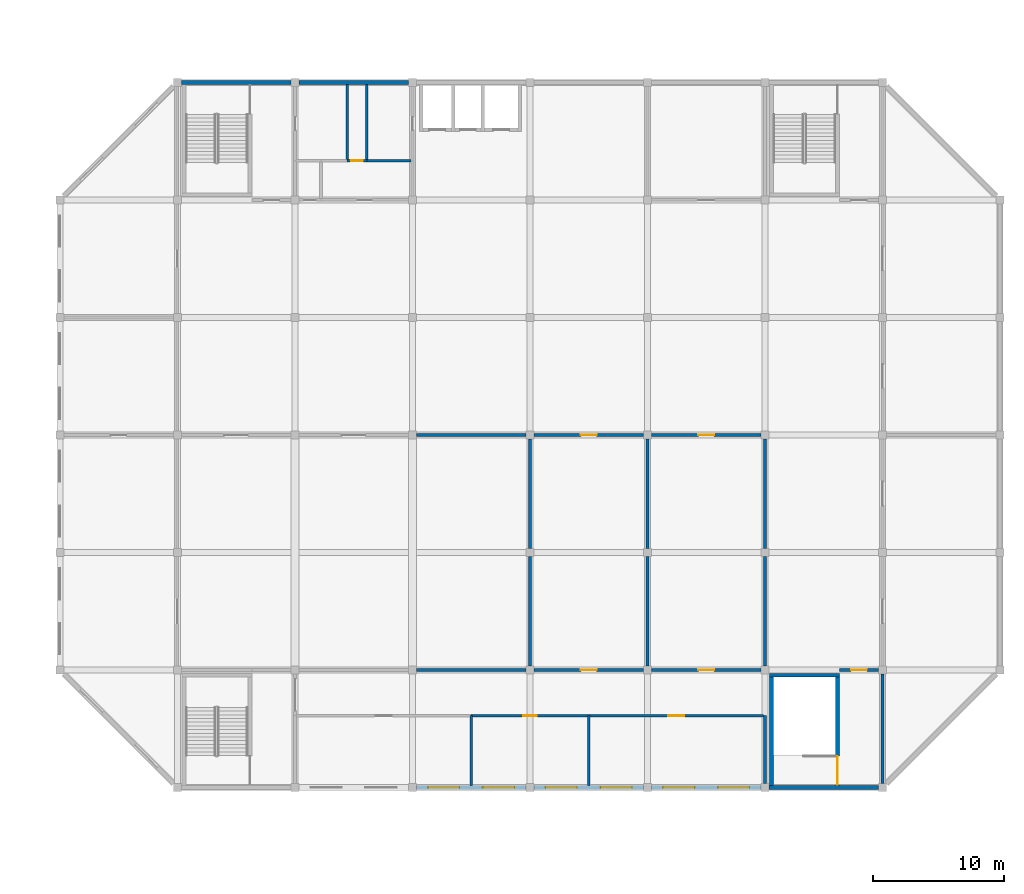
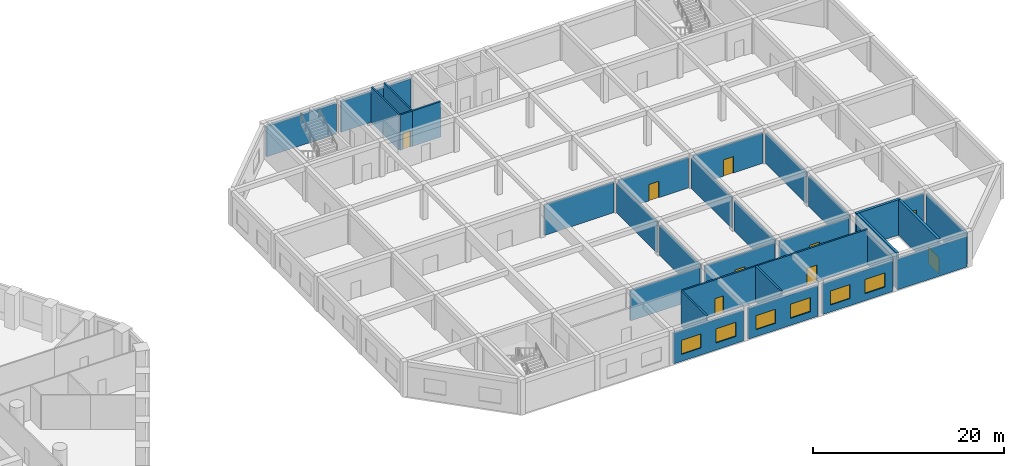
# One storey, part 15 of 26: 32 walls, 9 doors, 6 windows, 15 openings.
"""IFC4 building model written with IfcOpenShell, lengths in metres."""

from ifc_helpers import new_model, si_unit, direction, frame, frame_2d, origin, place, context, subcontext, project, spatial, rectangle, extrude, material, layer, layer_set, type_object, element, fill, save


model = new_model("IFC4")

# Units and contexts
model_context = context("Model", 3, precision=1e-05, world=origin(), true_north=direction((0.0, 1.0)))
body_context = subcontext(model_context, "Body", "Model", "MODEL_VIEW")
ifc_project = project(units=[si_unit("LENGTHUNIT", "METRE"), si_unit("AREAUNIT", "SQUARE_METRE"), si_unit("VOLUMEUNIT", "CUBIC_METRE"), si_unit("PLANEANGLEUNIT", "RADIAN"), si_unit("MASSUNIT", "GRAM", prefix="KILO")], contexts=[model_context])

# Site, building, storey
site_placement = place(None, origin())
site = spatial("IfcSite", under=ifc_project, at=site_placement, CompositionType="ELEMENT")
building_placement = place(site_placement, origin())
building = spatial("IfcBuilding", under=site, at=building_placement, Name="Dhurran Vertical Campus", CompositionType="ELEMENT")
storey_placement = place(building_placement, frame((0.0, 0.0, 15.60009765625)))
storey = spatial("IfcBuildingStorey", under=building, at=storey_placement, Name="L03", CompositionType="ELEMENT", Elevation=15.60009765625)

# Wall, openings, windows
ifc_material_1 = material(Name="Precast concrete C40/50", Category="concrete")
ifc_layer_1 = layer(ifc_material_1, 0.300048828125)
ifc_layer_set_1 = layer_set([ifc_layer_1], Name="Precast concrete C40/50")
wall_type_1 = type_object("IfcWallType", Name="hl-external wall precast 300", PredefinedType="SOLIDWALL", material=ifc_layer_set_1)
wall_1_placement = place(storey_placement, frame((88.800048828125, -27.0, 0.0), z_axis=(0.0, 0.0, 1.0), x_axis=(1.0, 0.0, 0.0)))
wall_1 = element("IfcWall", 1, at=wall_1_placement, inside=storey, type_object=wall_type_1, Name="Hall external wall L03-008", PredefinedType="SOLIDWALL", context=body_context, shape_type="SweptSolid", body=[
    extrude(rectangle(XDim=8.39990234375, YDim=0.300048828125, at=frame_2d((4.199951171875, 0.0))), origin(), (0.0, 0.0, 1.0), 3.89990234375),
])
opening_1_placement = place(wall_1_placement, frame((0.89990234375, 0.0, 0.89990234375)))
opening_1 = element("IfcOpeningElement", 2, at=opening_1_placement, cuts=wall_1, Name="Opening HWN1", PredefinedType="OPENING", context=body_context, shape_type="SweptSolid", body=[
    extrude(rectangle(XDim=2.39990234375, YDim=1.800048828125, at=frame_2d((1.199951171875, 0.89990234375))), frame((0.0, 0.159912109375, 0.0), z_axis=(0.0, -1.0, 0.0), x_axis=(1.0, 0.0, 0.0)), (0.0, 0.0, 1.0), 0.320068359375),
])
opening_2_placement = place(wall_1_placement, frame((5.10009765625, 0.0, 0.89990234375)))
opening_2 = element("IfcOpeningElement", 3, at=opening_2_placement, cuts=wall_1, Name="Opening HWN1", PredefinedType="OPENING", context=body_context, shape_type="SweptSolid", body=[
    extrude(rectangle(XDim=2.39990234375, YDim=1.800048828125, at=frame_2d((1.199951171875, 0.89990234375))), frame((0.0, 0.159912109375, 0.0), z_axis=(0.0, -1.0, 0.0), x_axis=(1.0, 0.0, 0.0)), (0.0, 0.0, 1.0), 0.320068359375),
])
ifc_material_2 = material(Name="Aluminium", Category="aluminium")
window_type = type_object("IfcWindowType", Name="hl-window 2400x1800", PartitioningType="SINGLE_PANEL", PredefinedType="WINDOW", material=ifc_material_2)
window_1_placement = place(opening_1_placement, origin())
window_1 = element("IfcWindow", 4, at=window_1_placement, inside=storey, type_object=window_type, Name="Hall window L03-069", OverallHeight=1.800048828125, OverallWidth=2.39990234375, PartitioningType="SINGLE_PANEL", PredefinedType="WINDOW", context=body_context, shape_type="SweptSolid", body=[
    extrude(rectangle(XDim=2.39990234375, YDim=1.800048828125, at=frame_2d((1.199951171875, 0.89990234375))), frame((0.0, 0.030029296875, 0.0), z_axis=(0.0, -1.0, 0.0), x_axis=(1.0, 0.0, 0.0)), (0.0, 0.0, 1.0), 0.06005859375),
])
fill(opening_1, window_1)
window_2_placement = place(opening_2_placement, origin())
window_2 = element("IfcWindow", 5, at=window_2_placement, inside=storey, type_object=window_type, Name="Hall window L03-070", OverallHeight=1.800048828125, OverallWidth=2.39990234375, PartitioningType="SINGLE_PANEL", PredefinedType="WINDOW", context=body_context, shape_type="SweptSolid", body=[
    extrude(rectangle(XDim=2.39990234375, YDim=1.800048828125, at=frame_2d((1.199951171875, 0.89990234375))), frame((0.0, 0.030029296875, 0.0), z_axis=(0.0, -1.0, 0.0), x_axis=(1.0, 0.0, 0.0)), (0.0, 0.0, 1.0), 0.06005859375),
])
fill(opening_2, window_2)

wall_2_placement = place(storey_placement, frame((97.800048828125, -27.0, 0.0), z_axis=(0.0, 0.0, 1.0), x_axis=(1.0, 0.0, 0.0)))
wall_2 = element("IfcWall", 6, at=wall_2_placement, inside=storey, type_object=wall_type_1, Name="Hall external wall L03-010", PredefinedType="SOLIDWALL", context=body_context, shape_type="SweptSolid", body=[
    extrude(rectangle(XDim=8.39990234375, YDim=0.300048828125, at=frame_2d((4.199951171875, 0.0))), origin(), (0.0, 0.0, 1.0), 3.89990234375),
])
opening_3_placement = place(wall_2_placement, frame((0.89990234375, 0.0, 0.89990234375)))
opening_3 = element("IfcOpeningElement", 7, at=opening_3_placement, cuts=wall_2, Name="Opening HWN1", PredefinedType="OPENING", context=body_context, shape_type="SweptSolid", body=[
    extrude(rectangle(XDim=2.39990234375, YDim=1.800048828125, at=frame_2d((1.199951171875, 0.89990234375))), frame((0.0, 0.159912109375, 0.0), z_axis=(0.0, -1.0, 0.0), x_axis=(1.0, 0.0, 0.0)), (0.0, 0.0, 1.0), 0.320068359375),
])
opening_4_placement = place(wall_2_placement, frame((5.10009765625, 0.0, 0.89990234375)))
opening_4 = element("IfcOpeningElement", 8, at=opening_4_placement, cuts=wall_2, Name="Opening HWN1", PredefinedType="OPENING", context=body_context, shape_type="SweptSolid", body=[
    extrude(rectangle(XDim=2.39990234375, YDim=1.800048828125, at=frame_2d((1.199951171875, 0.89990234375))), frame((0.0, 0.159912109375, 0.0), z_axis=(0.0, -1.0, 0.0), x_axis=(1.0, 0.0, 0.0)), (0.0, 0.0, 1.0), 0.320068359375),
])
window_3_placement = place(opening_3_placement, origin())
window_3 = element("IfcWindow", 9, at=window_3_placement, inside=storey, type_object=window_type, Name="Hall window L03-071", OverallHeight=1.800048828125, OverallWidth=2.39990234375, PartitioningType="SINGLE_PANEL", PredefinedType="WINDOW", context=body_context, shape_type="SweptSolid", body=[
    extrude(rectangle(XDim=2.39990234375, YDim=1.800048828125, at=frame_2d((1.199951171875, 0.89990234375))), frame((0.0, 0.030029296875, 0.0), z_axis=(0.0, -1.0, 0.0), x_axis=(1.0, 0.0, 0.0)), (0.0, 0.0, 1.0), 0.06005859375),
])
fill(opening_3, window_3)
window_4_placement = place(opening_4_placement, origin())
window_4 = element("IfcWindow", 10, at=window_4_placement, inside=storey, type_object=window_type, Name="Hall window L03-072", OverallHeight=1.800048828125, OverallWidth=2.39990234375, PartitioningType="SINGLE_PANEL", PredefinedType="WINDOW", context=body_context, shape_type="SweptSolid", body=[
    extrude(rectangle(XDim=2.39990234375, YDim=1.800048828125, at=frame_2d((1.199951171875, 0.89990234375))), frame((0.0, 0.030029296875, 0.0), z_axis=(0.0, -1.0, 0.0), x_axis=(1.0, 0.0, 0.0)), (0.0, 0.0, 1.0), 0.06005859375),
])
fill(opening_4, window_4)

wall_3_placement = place(storey_placement, frame((106.800048828125, -27.0, 0.0), z_axis=(0.0, 0.0, 1.0), x_axis=(1.0, 0.0, 0.0)))
wall_3 = element("IfcWall", 11, at=wall_3_placement, inside=storey, type_object=wall_type_1, Name="Hall external wall L03-012", PredefinedType="SOLIDWALL", context=body_context, shape_type="SweptSolid", body=[
    extrude(rectangle(XDim=8.39990234375, YDim=0.300048828125, at=frame_2d((4.199951171875, 0.0))), origin(), (0.0, 0.0, 1.0), 3.89990234375),
])
opening_5_placement = place(wall_3_placement, frame((0.89990234375, 0.0, 0.89990234375)))
opening_5 = element("IfcOpeningElement", 12, at=opening_5_placement, cuts=wall_3, Name="Opening HWN1", PredefinedType="OPENING", context=body_context, shape_type="SweptSolid", body=[
    extrude(rectangle(XDim=2.39990234375, YDim=1.800048828125, at=frame_2d((1.199951171875, 0.89990234375))), frame((0.0, 0.159912109375, 0.0), z_axis=(0.0, -1.0, 0.0), x_axis=(1.0, 0.0, 0.0)), (0.0, 0.0, 1.0), 0.320068359375),
])
opening_6_placement = place(wall_3_placement, frame((5.10009765625, 0.0, 0.89990234375)))
opening_6 = element("IfcOpeningElement", 13, at=opening_6_placement, cuts=wall_3, Name="Opening HWN1", PredefinedType="OPENING", context=body_context, shape_type="SweptSolid", body=[
    extrude(rectangle(XDim=2.39990234375, YDim=1.800048828125, at=frame_2d((1.199951171875, 0.89990234375))), frame((0.0, 0.159912109375, 0.0), z_axis=(0.0, -1.0, 0.0), x_axis=(1.0, 0.0, 0.0)), (0.0, 0.0, 1.0), 0.320068359375),
])
window_5_placement = place(opening_5_placement, origin())
window_5 = element("IfcWindow", 14, at=window_5_placement, inside=storey, type_object=window_type, Name="Hall window L03-073", OverallHeight=1.800048828125, OverallWidth=2.39990234375, PartitioningType="SINGLE_PANEL", PredefinedType="WINDOW", context=body_context, shape_type="SweptSolid", body=[
    extrude(rectangle(XDim=2.39990234375, YDim=1.800048828125, at=frame_2d((1.199951171875, 0.89990234375))), frame((0.0, 0.030029296875, 0.0), z_axis=(0.0, -1.0, 0.0), x_axis=(1.0, 0.0, 0.0)), (0.0, 0.0, 1.0), 0.06005859375),
])
fill(opening_5, window_5)
window_6_placement = place(opening_6_placement, origin())
window_6 = element("IfcWindow", 15, at=window_6_placement, inside=storey, type_object=window_type, Name="Hall window L03-074", OverallHeight=1.800048828125, OverallWidth=2.39990234375, PartitioningType="SINGLE_PANEL", PredefinedType="WINDOW", context=body_context, shape_type="SweptSolid", body=[
    extrude(rectangle(XDim=2.39990234375, YDim=1.800048828125, at=frame_2d((1.199951171875, 0.89990234375))), frame((0.0, 0.030029296875, 0.0), z_axis=(0.0, -1.0, 0.0), x_axis=(1.0, 0.0, 0.0)), (0.0, 0.0, 1.0), 0.06005859375),
])
fill(opening_6, window_6)

# Walls
wall_4_placement = place(storey_placement, frame((88.199951171875, 27.0, 0.0), z_axis=(0.0, 0.0, 1.0), x_axis=(-1.0, 0.0, 0.0)))
element("IfcWall", 16, at=wall_4_placement, inside=storey, type_object=wall_type_1, Name="Hall external wall L03-036", PredefinedType="SOLIDWALL", context=body_context, shape_type="SweptSolid", body=[
    extrude(rectangle(XDim=8.39990234375, YDim=0.300048828125, at=frame_2d((4.199951171875, 0.0))), origin(), (0.0, 0.0, 1.0), 3.89990234375),
])
ifc_material_3 = material(Name="Precast concrete C40/50", Category="concrete")
ifc_layer_2 = layer(ifc_material_3, 0.300048828125)
ifc_layer_set_2 = layer_set([ifc_layer_2], Name="Precast concrete C40/50")
wall_type_2 = type_object("IfcWallType", Name="hl-external wall precast 300 EI 120", PredefinedType="SOLIDWALL", material=ifc_layer_set_2)
for number, where, z_axis, x_axis, name in (
    (17, (115.800048828125, -27.0, 0.0), (0.0, 0.0, 1.0), (1.0, 0.0, 0.0), "Hall external wall L03-014"),
    (18, (79.199951171875, 27.0, 0.0), (0.0, 0.0, 1.0), (-1.0, 0.0, 0.0), "Hall external wall L03-038"),
):
    element("IfcWall", number, at=place(storey_placement, frame(where, z_axis=z_axis, x_axis=x_axis)), inside=storey, type_object=wall_type_2, Name=name, PredefinedType="SOLIDWALL", context=body_context, shape_type="SweptSolid", body=[
        extrude(rectangle(XDim=8.39990234375, YDim=0.300048828125, at=frame_2d((4.199951171875, 0.0))), origin(), (0.0, 0.0, 1.0), 3.89990234375),
    ])
ifc_material_4 = material(Name="Masonry blockwork", Category="masonry")
ifc_layer_3 = layer(ifc_material_4, 0.199951171875)
ifc_layer_set_3 = layer_set([ifc_layer_3], Name="Masonry blockwork")
wall_type_3 = type_object("IfcWallType", Name="hl-partition blockwork 200 EI 60", PredefinedType="PARTITIONING", material=ifc_layer_set_3)
for number, where, z_axis, x_axis, name in (
    (19, (88.800048828125, 0.0, 0.0), (0.0, 0.0, 1.0), (1.0, 0.0, 0.0), "Hall partition L03-009"),
    (20, (88.800048828125, -18.0, 0.0), (0.0, 0.0, 1.0), (1.0, 0.0, 0.0), "Hall partition L03-018"),
):
    element("IfcWall", number, at=place(storey_placement, frame(where, z_axis=z_axis, x_axis=x_axis)), inside=storey, type_object=wall_type_3, Name=name, PredefinedType="PARTITIONING", context=body_context, shape_type="SweptSolid", body=[
        extrude(rectangle(XDim=8.39990234375, YDim=0.199951171875, at=frame_2d((4.199951171875, 0.0))), origin(), (0.0, 0.0, 1.0), 3.89990234375),
    ])
wall_5_placement = place(storey_placement, frame((83.5, 21.0, 0.0), z_axis=(0.0, 0.0, 1.0), x_axis=(0.0, 1.0, 0.0)))
element("IfcWall", 21, at=wall_5_placement, inside=storey, type_object=wall_type_3, Name="Hall partition L03-026", PredefinedType="PARTITIONING", context=body_context, shape_type="SweptSolid", body=[
    extrude(rectangle(XDim=5.85009765625, YDim=0.199951171875, at=frame_2d((2.925048828125, 0.0))), origin(), (0.0, 0.0, 1.0), 4.52001953125),
])

# Wall, opening, door
wall_6_placement = place(storey_placement, frame((83.5, 21.0, 0.0), z_axis=(0.0, 0.0, 1.0), x_axis=(1.0, 0.0, 0.0)))
wall_6 = element("IfcWall", 22, at=wall_6_placement, inside=storey, type_object=wall_type_3, Name="Hall partition L03-027", PredefinedType="PARTITIONING", context=body_context, shape_type="SweptSolid", body=[
    extrude(rectangle(XDim=1.5, YDim=0.199951171875, at=frame_2d((0.75, 0.0))), origin(), (0.0, 0.0, 1.0), 4.52001953125),
])
opening_7_placement = place(wall_6_placement, frame((0.300048828125, 0.0, 0.0)))
opening_7 = element("IfcOpeningElement", 23, at=opening_7_placement, cuts=wall_6, Name="Opening HD320", PredefinedType="OPENING", context=body_context, shape_type="SweptSolid", body=[
    extrude(rectangle(XDim=0.89990234375, YDim=2.10009765625, at=frame_2d((0.449951171875, 1.050048828125))), frame((0.0, 0.10986328125, 0.0), z_axis=(0.0, -1.0, 0.0), x_axis=(1.0, 0.0, 0.0)), (0.0, 0.0, 1.0), 0.219970703125),
])
ifc_material_5 = material(Name="Fire-rated steel door set", Category="steel")
door_type_1 = type_object("IfcDoorType", Name="hl-door 900x2100 single FD30S", OperationType="NOTDEFINED", PredefinedType="DOOR", material=ifc_material_5)
door_1_placement = place(opening_7_placement, origin())
door_1 = element("IfcDoor", 24, at=door_1_placement, inside=storey, type_object=door_type_1, Name="Door HD320", OperationType="SINGLE_SWING_RIGHT", OverallHeight=2.10009765625, OverallWidth=0.89990234375, PredefinedType="DOOR", context=body_context, shape_type="SweptSolid", body=[
    extrude(rectangle(XDim=0.89990234375, YDim=2.10009765625, at=frame_2d((0.449951171875, 1.050048828125))), frame((0.0, 0.02490234375, 0.0), z_axis=(0.0, -1.0, 0.0), x_axis=(1.0, 0.0, 0.0)), (0.0, 0.0, 1.0), 0.050048828125),
])
fill(opening_7, door_1)

# Walls
wall_7_placement = place(storey_placement, frame((85.0, 21.0, 0.0), z_axis=(0.0, 0.0, 1.0), x_axis=(0.0, 1.0, 0.0)))
element("IfcWall", 25, at=wall_7_placement, inside=storey, type_object=wall_type_3, Name="Hall partition L03-028", PredefinedType="PARTITIONING", context=body_context, shape_type="SweptSolid", body=[
    extrude(rectangle(XDim=5.85009765625, YDim=0.199951171875, at=frame_2d((2.925048828125, 0.0))), origin(), (0.0, 0.0, 1.0), 4.52001953125),
])
wall_8_placement = place(storey_placement, frame((85.0, 21.0, 0.0), z_axis=(0.0, 0.0, 1.0), x_axis=(1.0, 0.0, 0.0)))
element("IfcWall", 26, at=wall_8_placement, inside=storey, type_object=wall_type_3, Name="Hall partition L03-029", PredefinedType="PARTITIONING", context=body_context, shape_type="SweptSolid", body=[
    extrude(rectangle(XDim=3.39990234375, YDim=0.199951171875, at=frame_2d((1.699951171875, 0.0))), origin(), (0.0, 0.0, 1.0), 4.52001953125),
])
wall_9_placement = place(storey_placement, frame((93.0, -26.85009765625, 0.0), z_axis=(0.0, 0.0, 1.0), x_axis=(0.0, 1.0, 0.0)))
element("IfcWall", 27, at=wall_9_placement, inside=storey, type_object=wall_type_3, Name="Hall partition L03-032", PredefinedType="PARTITIONING", context=body_context, shape_type="SweptSolid", body=[
    extrude(rectangle(XDim=5.35009765625, YDim=0.199951171875, at=frame_2d((2.675048828125, 0.0))), origin(), (0.0, 0.0, 1.0), 4.52001953125),
])

# Wall, opening, door
wall_10_placement = place(storey_placement, frame((93.0, -21.5, 0.0), z_axis=(0.0, 0.0, 1.0), x_axis=(1.0, 0.0, 0.0)))
wall_10 = element("IfcWall", 28, at=wall_10_placement, inside=storey, type_object=wall_type_3, Name="Hall partition L03-033", PredefinedType="PARTITIONING", context=body_context, shape_type="SweptSolid", body=[
    extrude(rectangle(XDim=9.0, YDim=0.199951171875, at=frame_2d((4.5, 0.0))), origin(), (0.0, 0.0, 1.0), 4.52001953125),
])
opening_8_placement = place(wall_10_placement, frame((4.0, 0.0, 0.0)))
opening_8 = element("IfcOpeningElement", 29, at=opening_8_placement, cuts=wall_10, Name="Opening HD313", PredefinedType="OPENING", context=body_context, shape_type="SweptSolid", body=[
    extrude(rectangle(XDim=1.0, YDim=2.10009765625, at=frame_2d((0.5, 1.050048828125))), frame((0.0, 0.10986328125, 0.0), z_axis=(0.0, -1.0, 0.0), x_axis=(1.0, 0.0, 0.0)), (0.0, 0.0, 1.0), 0.219970703125),
])
ifc_material_6 = material(Name="Fire-rated steel door set", Category="steel")
door_type_2 = type_object("IfcDoorType", Name="hl-door 1000x2100 single FD30S", OperationType="NOTDEFINED", PredefinedType="DOOR", material=ifc_material_6)
door_2_placement = place(opening_8_placement, origin())
door_2 = element("IfcDoor", 30, at=door_2_placement, inside=storey, type_object=door_type_2, Name="Door HD313", OperationType="SINGLE_SWING_LEFT", OverallHeight=2.10009765625, OverallWidth=1.0, PredefinedType="DOOR", context=body_context, shape_type="SweptSolid", body=[
    extrude(rectangle(XDim=1.0, YDim=2.10009765625, at=frame_2d((0.5, 1.050048828125))), frame((0.0, 0.02490234375, 0.0), z_axis=(0.0, -1.0, 0.0), x_axis=(1.0, 0.0, 0.0)), (0.0, 0.0, 1.0), 0.050048828125),
])
fill(opening_8, door_2)

# Walls
for number, where, z_axis, x_axis, name in (
    (31, (97.5, -17.699951171875, 0.0), (0.0, 0.0, 1.0), (0.0, 1.0, 0.0), "Hall partition L03-034"),
    (32, (97.5, -8.699951171875, 0.0), (0.0, 0.0, 1.0), (0.0, 1.0, 0.0), "Hall partition L03-035"),
):
    element("IfcWall", number, at=place(storey_placement, frame(where, z_axis=z_axis, x_axis=x_axis)), inside=storey, type_object=wall_type_3, Name=name, PredefinedType="PARTITIONING", context=body_context, shape_type="SweptSolid", body=[
        extrude(rectangle(XDim=8.39990234375, YDim=0.199951171875, at=frame_2d((4.199951171875, 0.0))), origin(), (0.0, 0.0, 1.0), 3.89990234375),
    ])

# Wall, opening, door
wall_11_placement = place(storey_placement, frame((97.800048828125, -18.0, 0.0), z_axis=(0.0, 0.0, 1.0), x_axis=(1.0, 0.0, 0.0)))
wall_11 = element("IfcWall", 33, at=wall_11_placement, inside=storey, type_object=wall_type_3, Name="Hall partition L03-036", PredefinedType="PARTITIONING", context=body_context, shape_type="SweptSolid", body=[
    extrude(rectangle(XDim=8.39990234375, YDim=0.199951171875, at=frame_2d((4.199951171875, 0.0))), origin(), (0.0, 0.0, 1.0), 3.89990234375),
])
opening_9_placement = place(wall_11_placement, frame((3.60009765625, 0.0, 0.0)))
opening_9 = element("IfcOpeningElement", 34, at=opening_9_placement, cuts=wall_11, Name="Opening HD308", PredefinedType="OPENING", context=body_context, shape_type="SweptSolid", body=[
    extrude(rectangle(XDim=1.199951171875, YDim=2.10009765625, at=frame_2d((0.60009765625, 1.050048828125))), frame((0.0, 0.10986328125, 0.0), z_axis=(0.0, -1.0, 0.0), x_axis=(1.0, 0.0, 0.0)), (0.0, 0.0, 1.0), 0.219970703125),
])
ifc_material_7 = material(Name="Fire-rated steel door set", Category="steel")
door_type_3 = type_object("IfcDoorType", Name="hl-door 1200x2100 single FD30S", OperationType="NOTDEFINED", PredefinedType="DOOR", material=ifc_material_7)
door_3_placement = place(opening_9_placement, origin())
door_3 = element("IfcDoor", 35, at=door_3_placement, inside=storey, type_object=door_type_3, Name="Door HD308", OperationType="SINGLE_SWING_RIGHT", OverallHeight=2.10009765625, OverallWidth=1.199951171875, PredefinedType="DOOR", context=body_context, shape_type="SweptSolid", body=[
    extrude(rectangle(XDim=1.199951171875, YDim=2.10009765625, at=frame_2d((0.60009765625, 1.050048828125))), frame((0.0, 0.02490234375, 0.0), z_axis=(0.0, -1.0, 0.0), x_axis=(1.0, 0.0, 0.0)), (0.0, 0.0, 1.0), 0.050048828125),
])
fill(opening_9, door_3)

wall_12_placement = place(storey_placement, frame((97.800048828125, 0.0, 0.0), z_axis=(0.0, 0.0, 1.0), x_axis=(1.0, 0.0, 0.0)))
wall_12 = element("IfcWall", 36, at=wall_12_placement, inside=storey, type_object=wall_type_3, Name="Hall partition L03-037", PredefinedType="PARTITIONING", context=body_context, shape_type="SweptSolid", body=[
    extrude(rectangle(XDim=8.39990234375, YDim=0.199951171875, at=frame_2d((4.199951171875, 0.0))), origin(), (0.0, 0.0, 1.0), 3.89990234375),
])
opening_10_placement = place(wall_12_placement, frame((3.60009765625, 0.0, 0.0)))
opening_10 = element("IfcOpeningElement", 37, at=opening_10_placement, cuts=wall_12, Name="Opening HD309", PredefinedType="OPENING", context=body_context, shape_type="SweptSolid", body=[
    extrude(rectangle(XDim=1.199951171875, YDim=2.10009765625, at=frame_2d((0.60009765625, 1.050048828125))), frame((0.0, 0.10986328125, 0.0), z_axis=(0.0, -1.0, 0.0), x_axis=(1.0, 0.0, 0.0)), (0.0, 0.0, 1.0), 0.219970703125),
])
door_4_placement = place(opening_10_placement, origin())
door_4 = element("IfcDoor", 38, at=door_4_placement, inside=storey, type_object=door_type_3, Name="Door HD309", OperationType="SINGLE_SWING_LEFT", OverallHeight=2.10009765625, OverallWidth=1.199951171875, PredefinedType="DOOR", context=body_context, shape_type="SweptSolid", body=[
    extrude(rectangle(XDim=1.199951171875, YDim=2.10009765625, at=frame_2d((0.60009765625, 1.050048828125))), frame((0.0, 0.02490234375, 0.0), z_axis=(0.0, -1.0, 0.0), x_axis=(1.0, 0.0, 0.0)), (0.0, 0.0, 1.0), 0.050048828125),
])
fill(opening_10, door_4)

# Wall
wall_13_placement = place(storey_placement, frame((102.0, -26.85009765625, 0.0), z_axis=(0.0, 0.0, 1.0), x_axis=(0.0, 1.0, 0.0)))
element("IfcWall", 39, at=wall_13_placement, inside=storey, type_object=wall_type_3, Name="Hall partition L03-038", PredefinedType="PARTITIONING", context=body_context, shape_type="SweptSolid", body=[
    extrude(rectangle(XDim=5.35009765625, YDim=0.199951171875, at=frame_2d((2.675048828125, 0.0))), origin(), (0.0, 0.0, 1.0), 4.52001953125),
])

# Wall, opening, door
wall_14_placement = place(storey_placement, frame((102.0, -21.5, 0.0), z_axis=(0.0, 0.0, 1.0), x_axis=(1.0, 0.0, 0.0)))
wall_14 = element("IfcWall", 40, at=wall_14_placement, inside=storey, type_object=wall_type_3, Name="Hall partition L03-039", PredefinedType="PARTITIONING", context=body_context, shape_type="SweptSolid", body=[
    extrude(rectangle(XDim=13.39990234375, YDim=0.199951171875, at=frame_2d((6.699951171875, 0.0))), origin(), (0.0, 0.0, 1.0), 4.52001953125),
])
opening_11_placement = place(wall_14_placement, frame((6.10009765625, 0.0, 0.0)))
opening_11 = element("IfcOpeningElement", 41, at=opening_11_placement, cuts=wall_14, Name="Opening HD314", PredefinedType="OPENING", context=body_context, shape_type="SweptSolid", body=[
    extrude(rectangle(XDim=1.199951171875, YDim=2.10009765625, at=frame_2d((0.60009765625, 1.050048828125))), frame((0.0, 0.10986328125, 0.0), z_axis=(0.0, -1.0, 0.0), x_axis=(1.0, 0.0, 0.0)), (0.0, 0.0, 1.0), 0.219970703125),
])
door_5_placement = place(opening_11_placement, origin())
door_5 = element("IfcDoor", 42, at=door_5_placement, inside=storey, type_object=door_type_3, Name="Door HD314", OperationType="SINGLE_SWING_RIGHT", OverallHeight=2.10009765625, OverallWidth=1.199951171875, PredefinedType="DOOR", context=body_context, shape_type="SweptSolid", body=[
    extrude(rectangle(XDim=1.199951171875, YDim=2.10009765625, at=frame_2d((0.60009765625, 1.050048828125))), frame((0.0, 0.02490234375, 0.0), z_axis=(0.0, -1.0, 0.0), x_axis=(1.0, 0.0, 0.0)), (0.0, 0.0, 1.0), 0.050048828125),
])
fill(opening_11, door_5)

# Walls
for number, where, z_axis, x_axis, name in (
    (43, (106.5, -17.699951171875, 0.0), (0.0, 0.0, 1.0), (0.0, 1.0, 0.0), "Hall partition L03-040"),
    (44, (106.5, -8.699951171875, 0.0), (0.0, 0.0, 1.0), (0.0, 1.0, 0.0), "Hall partition L03-041"),
):
    element("IfcWall", number, at=place(storey_placement, frame(where, z_axis=z_axis, x_axis=x_axis)), inside=storey, type_object=wall_type_3, Name=name, PredefinedType="PARTITIONING", context=body_context, shape_type="SweptSolid", body=[
        extrude(rectangle(XDim=8.39990234375, YDim=0.199951171875, at=frame_2d((4.199951171875, 0.0))), origin(), (0.0, 0.0, 1.0), 3.89990234375),
    ])

# Wall, opening, door
wall_15_placement = place(storey_placement, frame((106.800048828125, -18.0, 0.0), z_axis=(0.0, 0.0, 1.0), x_axis=(1.0, 0.0, 0.0)))
wall_15 = element("IfcWall", 45, at=wall_15_placement, inside=storey, type_object=wall_type_3, Name="Hall partition L03-042", PredefinedType="PARTITIONING", context=body_context, shape_type="SweptSolid", body=[
    extrude(rectangle(XDim=8.39990234375, YDim=0.199951171875, at=frame_2d((4.199951171875, 0.0))), origin(), (0.0, 0.0, 1.0), 3.89990234375),
])
opening_12_placement = place(wall_15_placement, frame((3.60009765625, 0.0, 0.0)))
opening_12 = element("IfcOpeningElement", 46, at=opening_12_placement, cuts=wall_15, Name="Opening HD310", PredefinedType="OPENING", context=body_context, shape_type="SweptSolid", body=[
    extrude(rectangle(XDim=1.199951171875, YDim=2.10009765625, at=frame_2d((0.60009765625, 1.050048828125))), frame((0.0, 0.10986328125, 0.0), z_axis=(0.0, -1.0, 0.0), x_axis=(1.0, 0.0, 0.0)), (0.0, 0.0, 1.0), 0.219970703125),
])
door_6_placement = place(opening_12_placement, origin())
door_6 = element("IfcDoor", 47, at=door_6_placement, inside=storey, type_object=door_type_3, Name="Door HD310", OperationType="SINGLE_SWING_RIGHT", OverallHeight=2.10009765625, OverallWidth=1.199951171875, PredefinedType="DOOR", context=body_context, shape_type="SweptSolid", body=[
    extrude(rectangle(XDim=1.199951171875, YDim=2.10009765625, at=frame_2d((0.60009765625, 1.050048828125))), frame((0.0, 0.02490234375, 0.0), z_axis=(0.0, -1.0, 0.0), x_axis=(1.0, 0.0, 0.0)), (0.0, 0.0, 1.0), 0.050048828125),
])
fill(opening_12, door_6)

wall_16_placement = place(storey_placement, frame((106.800048828125, 0.0, 0.0), z_axis=(0.0, 0.0, 1.0), x_axis=(1.0, 0.0, 0.0)))
wall_16 = element("IfcWall", 48, at=wall_16_placement, inside=storey, type_object=wall_type_3, Name="Hall partition L03-043", PredefinedType="PARTITIONING", context=body_context, shape_type="SweptSolid", body=[
    extrude(rectangle(XDim=8.39990234375, YDim=0.199951171875, at=frame_2d((4.199951171875, 0.0))), origin(), (0.0, 0.0, 1.0), 3.89990234375),
])
opening_13_placement = place(wall_16_placement, frame((3.60009765625, 0.0, 0.0)))
opening_13 = element("IfcOpeningElement", 49, at=opening_13_placement, cuts=wall_16, Name="Opening HD311", PredefinedType="OPENING", context=body_context, shape_type="SweptSolid", body=[
    extrude(rectangle(XDim=1.199951171875, YDim=2.10009765625, at=frame_2d((0.60009765625, 1.050048828125))), frame((0.0, 0.10986328125, 0.0), z_axis=(0.0, -1.0, 0.0), x_axis=(1.0, 0.0, 0.0)), (0.0, 0.0, 1.0), 0.219970703125),
])
door_7_placement = place(opening_13_placement, origin())
door_7 = element("IfcDoor", 50, at=door_7_placement, inside=storey, type_object=door_type_3, Name="Door HD311", OperationType="SINGLE_SWING_LEFT", OverallHeight=2.10009765625, OverallWidth=1.199951171875, PredefinedType="DOOR", context=body_context, shape_type="SweptSolid", body=[
    extrude(rectangle(XDim=1.199951171875, YDim=2.10009765625, at=frame_2d((0.60009765625, 1.050048828125))), frame((0.0, 0.02490234375, 0.0), z_axis=(0.0, -1.0, 0.0), x_axis=(1.0, 0.0, 0.0)), (0.0, 0.0, 1.0), 0.050048828125),
])
fill(opening_13, door_7)

# Walls
wall_17_placement = place(storey_placement, frame((115.5, -26.699951171875, 0.0), z_axis=(0.0, 0.0, 1.0), x_axis=(0.0, 1.0, 0.0)))
element("IfcWall", 51, at=wall_17_placement, inside=storey, type_object=wall_type_3, Name="Hall partition L03-046", PredefinedType="PARTITIONING", context=body_context, shape_type="SweptSolid", body=[
    extrude(rectangle(XDim=5.199951171875, YDim=0.199951171875, at=frame_2d((2.60009765625, 0.0))), origin(), (0.0, 0.0, 1.0), 3.89990234375),
])
for number, where, z_axis, x_axis, name in (
    (52, (115.5, -17.699951171875, 0.0), (0.0, 0.0, 1.0), (0.0, 1.0, 0.0), "Hall partition L03-047"),
    (53, (115.5, -8.699951171875, 0.0), (0.0, 0.0, 1.0), (0.0, 1.0, 0.0), "Hall partition L03-048"),
):
    element("IfcWall", number, at=place(storey_placement, frame(where, z_axis=z_axis, x_axis=x_axis)), inside=storey, type_object=wall_type_3, Name=name, PredefinedType="PARTITIONING", context=body_context, shape_type="SweptSolid", body=[
        extrude(rectangle(XDim=8.39990234375, YDim=0.199951171875, at=frame_2d((4.199951171875, 0.0))), origin(), (0.0, 0.0, 1.0), 3.89990234375),
    ])

# Wall, opening, door
ifc_material_8 = material(Name="Masonry blockwork", Category="masonry")
ifc_layer_4 = layer(ifc_material_8, 0.25)
ifc_layer_set_4 = layer_set([ifc_layer_4], Name="Masonry blockwork")
wall_type_4 = type_object("IfcWallType", Name="hl-partition blockwork 250 EI 120", PredefinedType="PARTITIONING", material=ifc_layer_set_4)
wall_18_placement = place(storey_placement, frame((121.199951171875, -18.0, 0.0), z_axis=(0.0, 0.0, 1.0), x_axis=(1.0, 0.0, 0.0)))
wall_18 = element("IfcWall", 54, at=wall_18_placement, inside=storey, type_object=wall_type_4, Name="Hall partition L03-050", PredefinedType="PARTITIONING", context=body_context, shape_type="SweptSolid", body=[
    extrude(rectangle(XDim=3.0, YDim=0.25, at=frame_2d((1.5, 0.0))), origin(), (0.0, 0.0, 1.0), 3.89990234375),
])
opening_14_placement = place(wall_18_placement, frame((0.89990234375, 0.0, 0.0)))
opening_14 = element("IfcOpeningElement", 55, at=opening_14_placement, cuts=wall_18, Name="Opening HD302", PredefinedType="OPENING", context=body_context, shape_type="SweptSolid", body=[
    extrude(rectangle(XDim=1.199951171875, YDim=2.10009765625, at=frame_2d((0.60009765625, 1.050048828125))), frame((0.0, 0.135009765625, 0.0), z_axis=(0.0, -1.0, 0.0), x_axis=(1.0, 0.0, 0.0)), (0.0, 0.0, 1.0), 0.27001953125),
])
ifc_material_9 = material(Name="Fire-rated steel door set", Category="steel")
door_type_4 = type_object("IfcDoorType", Name="hl-door 1200x2100 single FD90", OperationType="NOTDEFINED", PredefinedType="DOOR", material=ifc_material_9)
door_8_placement = place(opening_14_placement, origin())
door_8 = element("IfcDoor", 56, at=door_8_placement, inside=storey, type_object=door_type_4, Name="Door HD302", OperationType="SINGLE_SWING_RIGHT", OverallHeight=2.10009765625, OverallWidth=1.199951171875, PredefinedType="DOOR", context=body_context, shape_type="SweptSolid", body=[
    extrude(rectangle(XDim=1.199951171875, YDim=2.10009765625, at=frame_2d((0.60009765625, 1.050048828125))), frame((0.0, 0.02490234375, 0.0), z_axis=(0.0, -1.0, 0.0), x_axis=(1.0, 0.0, 0.0)), (0.0, 0.0, 1.0), 0.050048828125),
])
fill(opening_14, door_8)

# Walls
wall_19_placement = place(storey_placement, frame((124.5, -26.699951171875, 0.0), z_axis=(0.0, 0.0, 1.0), x_axis=(0.0, 1.0, 0.0)))
element("IfcWall", 57, at=wall_19_placement, inside=storey, type_object=wall_type_4, Name="Hall partition L03-052", PredefinedType="PARTITIONING", context=body_context, shape_type="SweptSolid", body=[
    extrude(rectangle(XDim=8.39990234375, YDim=0.25, at=frame_2d((4.199951171875, 0.0))), origin(), (0.0, 0.0, 1.0), 3.89990234375),
])
ifc_material_10 = material(Name="Concrete C40/50", Category="concrete")
ifc_layer_5 = layer(ifc_material_10, 0.300048828125)
ifc_layer_set_5 = layer_set([ifc_layer_5], Name="Concrete C40/50")
wall_type_5 = type_object("IfcWallType", Name="hl-stair shaft wall 300", PredefinedType="SHEAR", material=ifc_layer_set_5)
wall_20_placement = place(storey_placement, frame((116.0, -26.85009765625, 0.0), z_axis=(0.0, 0.0, 1.0), x_axis=(0.0, 1.0, 0.0)))
element("IfcWall", 58, at=wall_20_placement, inside=storey, type_object=wall_type_5, Name="Stair shaft wall HST4 W L03", PredefinedType="SHEAR", context=body_context, shape_type="SweptSolid", body=[
    extrude(rectangle(XDim=8.300048828125, YDim=0.300048828125, at=frame_2d((4.14990234375, 0.0))), origin(), (0.0, 0.0, 1.0), 4.52001953125),
])

# Wall, opening, door
wall_21_placement = place(storey_placement, frame((121.050048828125, -26.85009765625, 0.0), z_axis=(0.0, 0.0, 1.0), x_axis=(0.0, 1.0, 0.0)))
wall_21 = element("IfcWall", 59, at=wall_21_placement, inside=storey, type_object=wall_type_5, Name="Stair shaft wall HST4 E L03", PredefinedType="SHEAR", context=body_context, shape_type="SweptSolid", body=[
    extrude(rectangle(XDim=8.300048828125, YDim=0.300048828125, at=frame_2d((4.14990234375, 0.0))), origin(), (0.0, 0.0, 1.0), 4.52001953125),
])
opening_15_placement = place(wall_21_placement, frame((0.050048828125, 0.0, 0.0)))
opening_15 = element("IfcOpeningElement", 60, at=opening_15_placement, cuts=wall_21, Name="Opening HDS34", PredefinedType="OPENING", context=body_context, shape_type="SweptSolid", body=[
    extrude(rectangle(XDim=2.199951171875, YDim=2.10009765625, at=frame_2d((1.10009765625, 1.050048828125))), frame((0.0, 0.159912109375, 0.0), z_axis=(0.0, -1.0, 0.0), x_axis=(1.0, 0.0, 0.0)), (0.0, 0.0, 1.0), 0.320068359375),
])
ifc_material_11 = material(Name="Fire-rated steel door set", Category="steel")
door_type_5 = type_object("IfcDoorType", Name="hl-door 2200x2100 double FD90", OperationType="NOTDEFINED", PredefinedType="DOOR", material=ifc_material_11)
door_9_placement = place(opening_15_placement, origin())
door_9 = element("IfcDoor", 61, at=door_9_placement, inside=storey, type_object=door_type_5, Name="Door HDS34", OperationType="DOUBLE_DOOR_SINGLE_SWING", OverallHeight=2.10009765625, OverallWidth=2.199951171875, PredefinedType="DOOR", context=body_context, shape_type="SweptSolid", body=[
    extrude(rectangle(XDim=2.199951171875, YDim=2.10009765625, at=frame_2d((1.10009765625, 1.050048828125))), frame((0.0, 0.02490234375, 0.0), z_axis=(0.0, -1.0, 0.0), x_axis=(1.0, 0.0, 0.0)), (0.0, 0.0, 1.0), 0.050048828125),
])
fill(opening_15, door_9)

# Wall
wall_22_placement = place(storey_placement, frame((115.85009765625, -18.39990234375, 0.0), z_axis=(0.0, 0.0, 1.0), x_axis=(1.0, 0.0, 0.0)))
element("IfcWall", 62, at=wall_22_placement, inside=storey, type_object=wall_type_5, Name="Stair shaft wall HST4 F L03", PredefinedType="SHEAR", context=body_context, shape_type="SweptSolid", body=[
    extrude(rectangle(XDim=5.349853515625, YDim=0.300048828125, at=frame_2d((2.6748046875, 0.0))), origin(), (0.0, 0.0, 1.0), 4.52001953125),
])

save(model, "model.ifc")
